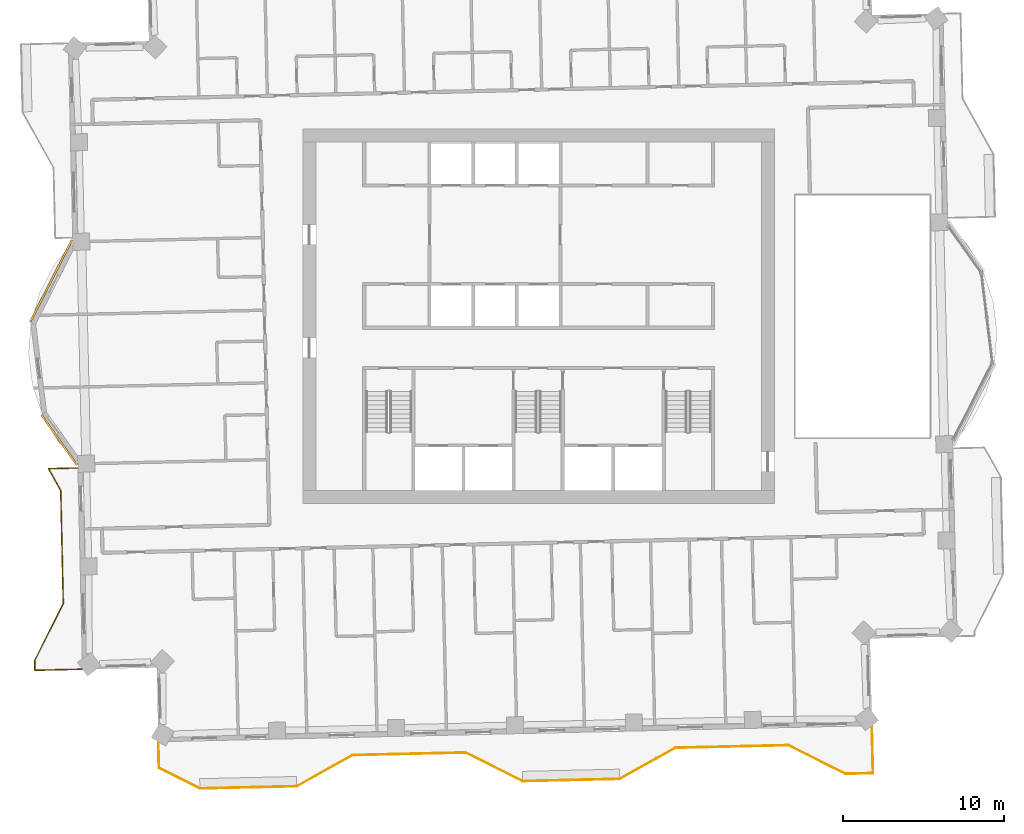
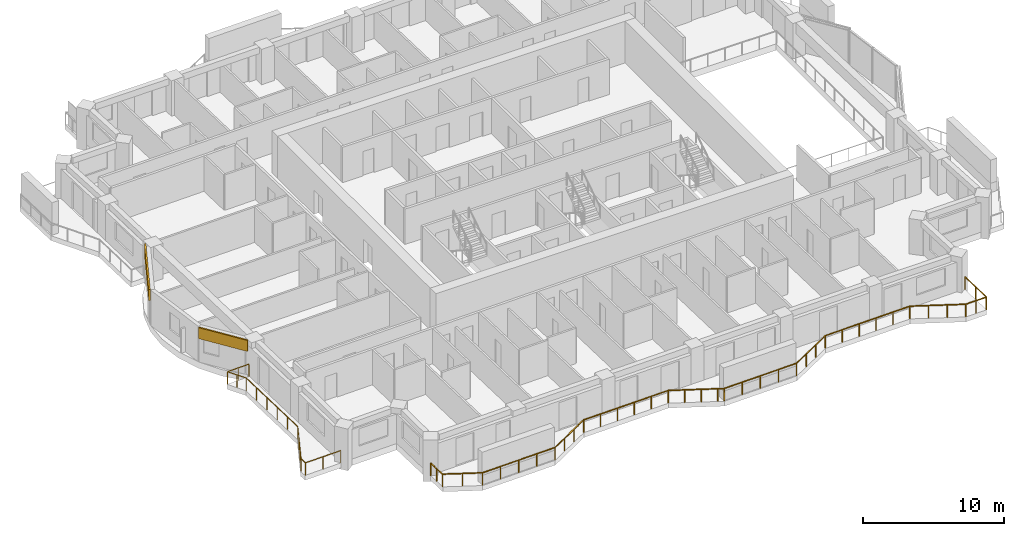
# One storey, part 14 of 17: 2 coverings, 2 railings.
"""IFC4 building model written with IfcOpenShell, lengths in metres."""

from ifc_helpers import new_model, si_unit, direction, frame, frame_2d, origin, origin_2d, place, context, subcontext, project, spatial, rectangle, extrude, material, layer, layer_set, type_object, element, save


model = new_model("IFC4")

# Units and contexts
model_context = context("Model", 3, precision=1e-05, world=origin(), true_north=direction((0.0, 1.0)))
body_context = subcontext(model_context, "Body", "Model", "MODEL_VIEW")
ifc_project = project(units=[si_unit("LENGTHUNIT", "METRE"), si_unit("AREAUNIT", "SQUARE_METRE"), si_unit("VOLUMEUNIT", "CUBIC_METRE"), si_unit("PLANEANGLEUNIT", "RADIAN"), si_unit("MASSUNIT", "GRAM", prefix="KILO")], contexts=[model_context])

# Site, building, storey
site_placement = place(None, origin())
site = spatial("IfcSite", under=ifc_project, at=site_placement, CompositionType="ELEMENT")
building_placement = place(site_placement, origin())
building = spatial("IfcBuilding", under=site, at=building_placement, Name="Mangrove Gate Tower", CompositionType="ELEMENT")
storey_placement = place(building_placement, frame((0.0, 0.0, 241.89990234375)))
storey = spatial("IfcBuildingStorey", under=building, at=storey_placement, Name="L61", CompositionType="ELEMENT", Elevation=241.89990234375)

# Railings
ifc_material_1 = material(Name="Stainless steel grade 316 with laminated glass infill", Category="steel")
railing_type = type_object("IfcRailingType", Name="Balcony guard 1100", PredefinedType="GUARDRAIL", material=ifc_material_1)
railing_1_placement = place(storey_placement, frame((-28.574951171875, -9.388916015625, 0.0)))
element("IfcRailing", 1, at=railing_1_placement, inside=storey, type_object=railing_type, Name="GUARD L61 W2", PredefinedType="GUARDRAIL", context=body_context, shape_type="SweptSolid", body=[
    extrude(rectangle(XDim=0.048095703125, YDim=0.048095703125, at=origin_2d()), frame((0.0, 0.0, 1.076171875), z_axis=(-0.999736733938, -0.0229447775, 0.0), x_axis=(0.0229447775, -0.999736733938, 0.0)), (0.0, 0.0, 1.0), 1.78759765625),
    extrude(rectangle(XDim=0.048095703125, YDim=0.048095703125, at=origin_2d()), frame((-1.787109375, -0.041015625, 1.076171875), z_axis=(0.487374509101, -0.873193041588, 0.0), x_axis=(0.873193041588, 0.487374509101, 0.0)), (0.0, 0.0, 1.0), 1.555419921875),
    extrude(rectangle(XDim=0.048095703125, YDim=0.048095703125, at=origin_2d()), frame((-1.029052734375, -1.399169921875, 1.076171875), z_axis=(0.022706351659, -0.999742177561, 0.0), x_axis=(0.999742177561, 0.022706351659, 0.0)), (0.0, 0.0, 1.0), 6.99951171875),
    extrude(rectangle(XDim=0.048095703125, YDim=0.048095703125, at=origin_2d()), frame((-0.8701171875, -8.39697265625, 1.076171875), z_axis=(-0.447114919141, -0.894476522376, 0.0), x_axis=(0.894476522376, -0.447114919141, 0.0)), (0.0, 0.0, 1.0), 3.958740234375),
    extrude(rectangle(XDim=0.048095703125, YDim=0.048095703125, at=origin_2d()), frame((-2.64013671875, -11.93798828125, 1.076171875), z_axis=(0.021963780888, -0.999758767068, 0.0), x_axis=(0.999758767068, 0.021963780888, 0.0)), (0.0, 0.0, 1.0), 0.600341796875),
    extrude(rectangle(XDim=0.048095703125, YDim=0.048095703125, at=origin_2d()), frame((-2.626953125, -12.5380859375, 1.076171875), z_axis=(0.999743521605, 0.022647097142, 0.0), x_axis=(-0.022647097142, 0.999743521605, 0.0)), (0.0, 0.0, 1.0), 2.91064453125),
    extrude(rectangle(XDim=0.0419921875, YDim=0.0419921875, at=origin_2d()), origin(), (0.0, 0.0, 1.0), 1.052001953125),
    extrude(rectangle(XDim=0.0419921875, YDim=0.0419921875, at=origin_2d()), frame((-0.8935546875, -0.0205078125, 0.0)), (0.0, 0.0, 1.0), 1.052001953125),
    extrude(rectangle(XDim=0.0419921875, YDim=0.0419921875, at=origin_2d()), frame((-1.787109375, -0.041015625, 0.0)), (0.0, 0.0, 1.0), 1.052001953125),
    extrude(rectangle(XDim=0.0419921875, YDim=0.0419921875, at=origin_2d()), frame((-1.408203125, -0.72021484375, 0.0)), (0.0, 0.0, 1.0), 1.052001953125),
    extrude(rectangle(XDim=0.0419921875, YDim=0.0419921875, at=origin_2d()), frame((-1.029052734375, -1.399169921875, 0.0)), (0.0, 0.0, 1.0), 1.052001953125),
    extrude(rectangle(XDim=0.0419921875, YDim=0.0419921875, at=origin_2d()), frame((-0.997314453125, -2.798828125, 0.0)), (0.0, 0.0, 1.0), 1.052001953125),
    extrude(rectangle(XDim=0.0419921875, YDim=0.0419921875, at=origin_2d()), frame((-0.965576171875, -4.1982421875, 0.0)), (0.0, 0.0, 1.0), 1.052001953125),
    extrude(rectangle(XDim=0.0419921875, YDim=0.0419921875, at=origin_2d()), frame((-0.93359375, -5.597900390625, 0.0)), (0.0, 0.0, 1.0), 1.052001953125),
    extrude(rectangle(XDim=0.0419921875, YDim=0.0419921875, at=origin_2d()), frame((-0.90185546875, -6.997314453125, 0.0)), (0.0, 0.0, 1.0), 1.052001953125),
    extrude(rectangle(XDim=0.0419921875, YDim=0.0419921875, at=origin_2d()), frame((-0.8701171875, -8.39697265625, 0.0)), (0.0, 0.0, 1.0), 1.052001953125),
    extrude(rectangle(XDim=0.0419921875, YDim=0.0419921875, at=origin_2d()), frame((-1.460205078125, -9.577392578125, 0.0)), (0.0, 0.0, 1.0), 1.052001953125),
    extrude(rectangle(XDim=0.0419921875, YDim=0.0419921875, at=origin_2d()), frame((-2.050048828125, -10.757568359375, 0.0)), (0.0, 0.0, 1.0), 1.052001953125),
    extrude(rectangle(XDim=0.0419921875, YDim=0.0419921875, at=origin_2d()), frame((-2.64013671875, -11.93798828125, 0.0)), (0.0, 0.0, 1.0), 1.052001953125),
    extrude(rectangle(XDim=0.0419921875, YDim=0.0419921875, at=origin_2d()), frame((-2.626953125, -12.5380859375, 0.0)), (0.0, 0.0, 1.0), 1.052001953125),
    extrude(rectangle(XDim=0.0419921875, YDim=0.0419921875, at=origin_2d()), frame((-1.171875, -12.505126953125, 0.0)), (0.0, 0.0, 1.0), 1.052001953125),
    extrude(rectangle(XDim=0.0419921875, YDim=0.0419921875, at=origin_2d()), frame((0.282958984375, -12.47216796875, 0.0)), (0.0, 0.0, 1.0), 1.052001953125),
])
railing_2_placement = place(storey_placement, frame((-23.548095703125, -26.39404296875, 0.0)))
element("IfcRailing", 2, at=railing_2_placement, inside=storey, type_object=railing_type, Name="GUARD L61 S1", PredefinedType="GUARDRAIL", context=body_context, shape_type="SweptSolid", body=[
    extrude(rectangle(XDim=0.048095703125, YDim=0.048095703125, at=origin_2d()), frame((0.0, 0.0, 1.076171875), z_axis=(0.022777340407, -0.999740562728, 0.0), x_axis=(0.999740562728, 0.022777340407, 0.0)), (0.0, 0.0, 1.0), 1.58642578125),
    extrude(rectangle(XDim=0.048095703125, YDim=0.048095703125, at=origin_2d()), frame((0.0361328125, -1.5859375, 1.076171875), z_axis=(0.894340972845, -0.447385990271, 0.0), x_axis=(0.447385990271, 0.894340972845, 0.0)), (0.0, 0.0, 1.0), 2.832275390625),
    extrude(rectangle(XDim=0.048095703125, YDim=0.048095703125, at=origin_2d()), frame((2.569091796875, -2.85302734375, 1.076171875), z_axis=(0.999743094499, 0.022665943652, 0.0), x_axis=(-0.022665943652, 0.999743094499, 0.0)), (0.0, 0.0, 1.0), 5.99951171875),
    extrude(rectangle(XDim=0.048095703125, YDim=0.048095703125, at=origin_2d()), frame((8.567138671875, -2.717041015625, 1.076171875), z_axis=(0.873289216505, 0.487202159618, 0.0), x_axis=(-0.487202159618, 0.873289216505, 0.0)), (0.0, 0.0, 1.0), 3.959716796875),
    extrude(rectangle(XDim=0.048095703125, YDim=0.048095703125, at=origin_2d()), frame((12.025146484375, -0.787841796875, 1.076171875), z_axis=(0.999742195543, 0.022705559911, 0.0), x_axis=(-0.022705559911, 0.999742195543, 0.0)), (0.0, 0.0, 1.0), 6.999755859375),
    extrude(rectangle(XDim=0.048095703125, YDim=0.048095703125, at=origin_2d()), frame((19.023193359375, -0.62890625, 1.076171875), z_axis=(0.894413264318, -0.447241447779, 0.0), x_axis=(0.447241447779, 0.894413264318, 0.0)), (0.0, 0.0, 1.0), 3.506103515625),
    extrude(rectangle(XDim=0.048095703125, YDim=0.048095703125, at=origin_2d()), frame((22.1591796875, -2.197021484375, 1.076171875), z_axis=(0.894966001385, -0.446134347888, 0.0), x_axis=(0.446134347888, 0.894966001385, 0.0)), (0.0, 0.0, 1.0), 0.45263671875),
    extrude(rectangle(XDim=0.048095703125, YDim=0.048095703125, at=origin_2d()), frame((22.564208984375, -2.39892578125, 1.076171875), z_axis=(0.999743073592, 0.022666865795, 0.0), x_axis=(-0.022666865795, 0.999743073592, 0.0)), (0.0, 0.0, 1.0), 5.999267578125),
    extrude(rectangle(XDim=0.048095703125, YDim=0.048095703125, at=origin_2d()), frame((28.56201171875, -2.262939453125, 1.076171875), z_axis=(0.87325689943, 0.48726008209, 0.0), x_axis=(-0.48726008209, 0.87325689943, 0.0)), (0.0, 0.0, 1.0), 3.958740234375),
    extrude(rectangle(XDim=0.048095703125, YDim=0.048095703125, at=origin_2d()), frame((32.01904296875, -0.333984375, 1.076171875), z_axis=(0.999742267452, 0.022702393474, 0.0), x_axis=(-0.022702393474, 0.999742267452, 0.0)), (0.0, 0.0, 1.0), 7.000732421875),
    extrude(rectangle(XDim=0.048095703125, YDim=0.048095703125, at=origin_2d()), frame((39.01806640625, -0.175048828125, 1.076171875), z_axis=(0.894476522376, -0.447114919141, 0.0), x_axis=(0.447114919141, 0.894476522376, 0.0)), (0.0, 0.0, 1.0), 3.958740234375),
    extrude(rectangle(XDim=0.048095703125, YDim=0.048095703125, at=origin_2d()), frame((42.55908203125, -1.945068359375, 1.076171875), z_axis=(0.999750055601, 0.022356795968, 0.0), x_axis=(-0.022356795968, 0.999750055601, 0.0)), (0.0, 0.0, 1.0), 1.70361328125),
    extrude(rectangle(XDim=0.048095703125, YDim=0.048095703125, at=origin_2d()), frame((44.26220703125, -1.906982421875, 1.076171875), z_axis=(-0.02273093202, 0.999741618984, 0.0), x_axis=(-0.999741618984, -0.02273093202, 0.0)), (0.0, 0.0, 1.0), 2.91064453125),
    extrude(rectangle(XDim=0.0419921875, YDim=0.0419921875, at=origin_2d()), origin(), (0.0, 0.0, 1.0), 1.052001953125),
    extrude(rectangle(XDim=0.0419921875, YDim=0.0419921875, at=origin_2d()), frame((0.01806640625, -0.79296875, 0.0)), (0.0, 0.0, 1.0), 1.052001953125),
    extrude(rectangle(XDim=0.0419921875, YDim=0.0419921875, at=origin_2d()), frame((0.0361328125, -1.5859375, 0.0)), (0.0, 0.0, 1.0), 1.052001953125),
    extrude(rectangle(XDim=0.0419921875, YDim=0.0419921875, at=origin_2d()), frame((1.302734375, -2.219482421875, 0.0)), (0.0, 0.0, 1.0), 1.052001953125),
    extrude(rectangle(XDim=0.0419921875, YDim=0.0419921875, at=origin_2d()), frame((2.569091796875, -2.85302734375, 0.0)), (0.0, 0.0, 1.0), 1.052001953125),
    extrude(rectangle(XDim=0.0419921875, YDim=0.0419921875, at=origin_2d()), frame((4.068603515625, -2.819091796875, 0.0)), (0.0, 0.0, 1.0), 1.052001953125),
    extrude(rectangle(XDim=0.0419921875, YDim=0.0419921875, at=origin_2d()), frame((5.568115234375, -2.78515625, 0.0)), (0.0, 0.0, 1.0), 1.052001953125),
    extrude(rectangle(XDim=0.0419921875, YDim=0.0419921875, at=origin_2d()), frame((7.067626953125, -2.7509765625, 0.0)), (0.0, 0.0, 1.0), 1.052001953125),
    extrude(rectangle(XDim=0.0419921875, YDim=0.0419921875, at=origin_2d()), frame((8.567138671875, -2.717041015625, 0.0)), (0.0, 0.0, 1.0), 1.052001953125),
    extrude(rectangle(XDim=0.0419921875, YDim=0.0419921875, at=origin_2d()), frame((9.7197265625, -2.073974609375, 0.0)), (0.0, 0.0, 1.0), 1.052001953125),
    extrude(rectangle(XDim=0.0419921875, YDim=0.0419921875, at=origin_2d()), frame((10.87255859375, -1.430908203125, 0.0)), (0.0, 0.0, 1.0), 1.052001953125),
    extrude(rectangle(XDim=0.0419921875, YDim=0.0419921875, at=origin_2d()), frame((12.025146484375, -0.787841796875, 0.0)), (0.0, 0.0, 1.0), 1.052001953125),
    extrude(rectangle(XDim=0.0419921875, YDim=0.0419921875, at=origin_2d()), frame((13.4248046875, -0.756103515625, 0.0)), (0.0, 0.0, 1.0), 1.052001953125),
    extrude(rectangle(XDim=0.0419921875, YDim=0.0419921875, at=origin_2d()), frame((14.824462890625, -0.724365234375, 0.0)), (0.0, 0.0, 1.0), 1.052001953125),
    extrude(rectangle(XDim=0.0419921875, YDim=0.0419921875, at=origin_2d()), frame((16.223876953125, -0.6923828125, 0.0)), (0.0, 0.0, 1.0), 1.052001953125),
    extrude(rectangle(XDim=0.0419921875, YDim=0.0419921875, at=origin_2d()), frame((17.62353515625, -0.66064453125, 0.0)), (0.0, 0.0, 1.0), 1.052001953125),
    extrude(rectangle(XDim=0.0419921875, YDim=0.0419921875, at=origin_2d()), frame((19.023193359375, -0.62890625, 0.0)), (0.0, 0.0, 1.0), 1.052001953125),
    extrude(rectangle(XDim=0.0419921875, YDim=0.0419921875, at=origin_2d()), frame((20.068603515625, -1.151611328125, 0.0)), (0.0, 0.0, 1.0), 1.052001953125),
    extrude(rectangle(XDim=0.0419921875, YDim=0.0419921875, at=origin_2d()), frame((21.11376953125, -1.67431640625, 0.0)), (0.0, 0.0, 1.0), 1.052001953125),
    extrude(rectangle(XDim=0.0419921875, YDim=0.0419921875, at=origin_2d()), frame((22.1591796875, -2.197021484375, 0.0)), (0.0, 0.0, 1.0), 1.052001953125),
    extrude(rectangle(XDim=0.0419921875, YDim=0.0419921875, at=origin_2d()), frame((22.564208984375, -2.39892578125, 0.0)), (0.0, 0.0, 1.0), 1.052001953125),
    extrude(rectangle(XDim=0.0419921875, YDim=0.0419921875, at=origin_2d()), frame((24.063720703125, -2.364990234375, 0.0)), (0.0, 0.0, 1.0), 1.052001953125),
    extrude(rectangle(XDim=0.0419921875, YDim=0.0419921875, at=origin_2d()), frame((25.56298828125, -2.3310546875, 0.0)), (0.0, 0.0, 1.0), 1.052001953125),
    extrude(rectangle(XDim=0.0419921875, YDim=0.0419921875, at=origin_2d()), frame((27.0625, -2.296875, 0.0)), (0.0, 0.0, 1.0), 1.052001953125),
    extrude(rectangle(XDim=0.0419921875, YDim=0.0419921875, at=origin_2d()), frame((28.56201171875, -2.262939453125, 0.0)), (0.0, 0.0, 1.0), 1.052001953125),
    extrude(rectangle(XDim=0.0419921875, YDim=0.0419921875, at=origin_2d()), frame((29.71435546875, -1.619873046875, 0.0)), (0.0, 0.0, 1.0), 1.052001953125),
    extrude(rectangle(XDim=0.0419921875, YDim=0.0419921875, at=origin_2d()), frame((30.86669921875, -0.97705078125, 0.0)), (0.0, 0.0, 1.0), 1.052001953125),
    extrude(rectangle(XDim=0.0419921875, YDim=0.0419921875, at=origin_2d()), frame((32.01904296875, -0.333984375, 0.0)), (0.0, 0.0, 1.0), 1.052001953125),
    extrude(rectangle(XDim=0.0419921875, YDim=0.0419921875, at=origin_2d()), frame((33.4189453125, -0.30224609375, 0.0)), (0.0, 0.0, 1.0), 1.052001953125),
    extrude(rectangle(XDim=0.0419921875, YDim=0.0419921875, at=origin_2d()), frame((34.818603515625, -0.2705078125, 0.0)), (0.0, 0.0, 1.0), 1.052001953125),
    extrude(rectangle(XDim=0.0419921875, YDim=0.0419921875, at=origin_2d()), frame((36.218505859375, -0.238525390625, 0.0)), (0.0, 0.0, 1.0), 1.052001953125),
    extrude(rectangle(XDim=0.0419921875, YDim=0.0419921875, at=origin_2d()), frame((37.6181640625, -0.206787109375, 0.0)), (0.0, 0.0, 1.0), 1.052001953125),
    extrude(rectangle(XDim=0.0419921875, YDim=0.0419921875, at=origin_2d()), frame((39.01806640625, -0.175048828125, 0.0)), (0.0, 0.0, 1.0), 1.052001953125),
    extrude(rectangle(XDim=0.0419921875, YDim=0.0419921875, at=origin_2d()), frame((40.198486328125, -0.76513671875, 0.0)), (0.0, 0.0, 1.0), 1.052001953125),
    extrude(rectangle(XDim=0.0419921875, YDim=0.0419921875, at=origin_2d()), frame((41.378662109375, -1.35498046875, 0.0)), (0.0, 0.0, 1.0), 1.052001953125),
    extrude(rectangle(XDim=0.0419921875, YDim=0.0419921875, at=origin_2d()), frame((42.55908203125, -1.945068359375, 0.0)), (0.0, 0.0, 1.0), 1.052001953125),
    extrude(rectangle(XDim=0.0419921875, YDim=0.0419921875, at=origin_2d()), frame((43.41064453125, -1.926025390625, 0.0)), (0.0, 0.0, 1.0), 1.052001953125),
    extrude(rectangle(XDim=0.0419921875, YDim=0.0419921875, at=origin_2d()), frame((44.26220703125, -1.906982421875, 0.0)), (0.0, 0.0, 1.0), 1.052001953125),
    extrude(rectangle(XDim=0.0419921875, YDim=0.0419921875, at=origin_2d()), frame((44.22900390625, -0.4521484375, 0.0)), (0.0, 0.0, 1.0), 1.052001953125),
    extrude(rectangle(XDim=0.0419921875, YDim=0.0419921875, at=origin_2d()), frame((44.196044921875, 1.0029296875, 0.0)), (0.0, 0.0, 1.0), 1.052001953125),
])

# Coverings
ifc_material_2 = material(Name="Limestone", Category="masonry")
ifc_layer_1 = layer(ifc_material_2, 0.0400390625, Name="Limestone cladding")
ifc_material_3 = material(Name="Stainless steel anchors and cavity", Category="steel")
ifc_layer_2 = layer(ifc_material_3, 0.080078125, Name="Fixing cavity")
ifc_layer_set = layer_set([ifc_layer_1, ifc_layer_2], Name="Joint fascia cladding 120")
covering_type = type_object("IfcCoveringType", Name="Joint fascia cladding 120", PredefinedType="CLADDING", material=ifc_layer_set)
covering_1_placement = place(storey_placement, frame((-28.906005859375, 4.732177734375, 2.10009765625), z_axis=(0.0, 0.0, 1.0), x_axis=(-0.452597611153, -0.891714866074, 0.0)))
element("IfcCovering", 3, at=covering_1_placement, inside=storey, type_object=covering_type, Name="STONE FASCIA L61 W9.L1", PredefinedType="CLADDING", context=body_context, shape_type="SweptSolid", body=[
    extrude(rectangle(XDim=5.704833984375, YDim=0.1201171875, at=frame_2d((2.8525390625, 0.0))), origin(), (0.0, 0.0, 1.0), 0.949951171875),
])
covering_2_placement = place(storey_placement, frame((-30.791015625, -6.10302734375, 2.10009765625), z_axis=(0.0, 0.0, 1.0), x_axis=(0.578168098379, -0.815917673553, 0.0)))
element("IfcCovering", 4, at=covering_2_placement, inside=storey, type_object=covering_type, Name="STONE FASCIA L61 W9.L2", PredefinedType="CLADDING", context=body_context, shape_type="SweptSolid", body=[
    extrude(rectangle(XDim=3.819091796875, YDim=0.1201171875, at=frame_2d((1.90966796875, 0.0))), origin(), (0.0, 0.0, 1.0), 0.949951171875),
])

save(model, "model.ifc")
